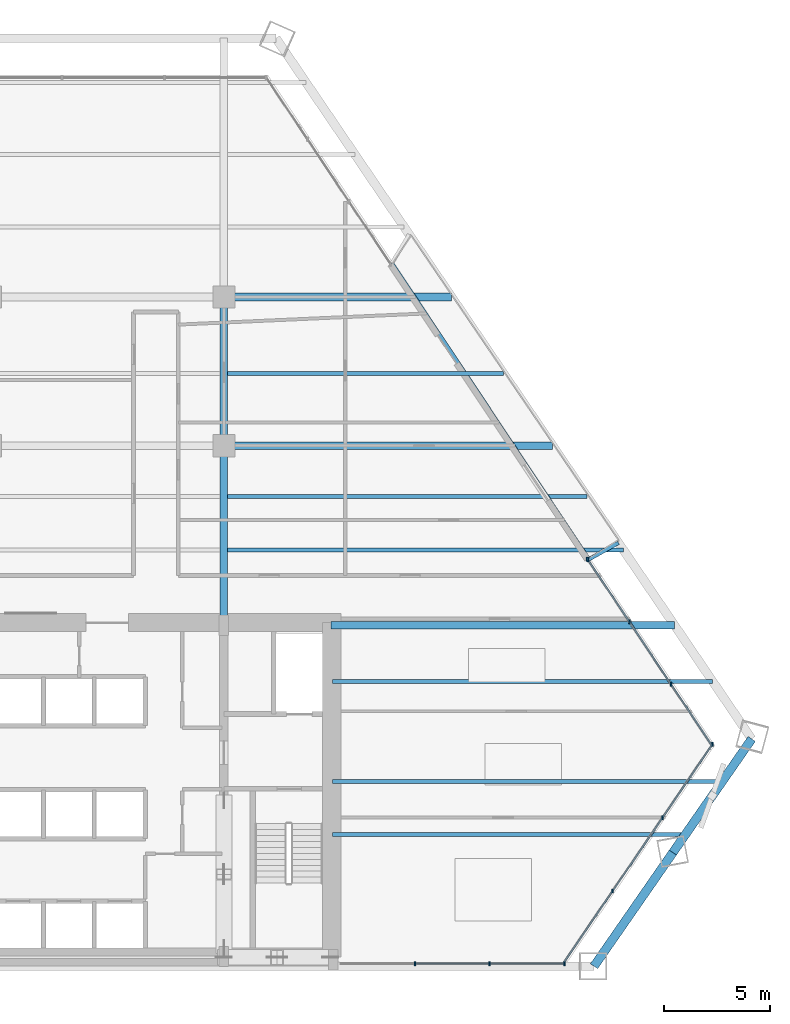
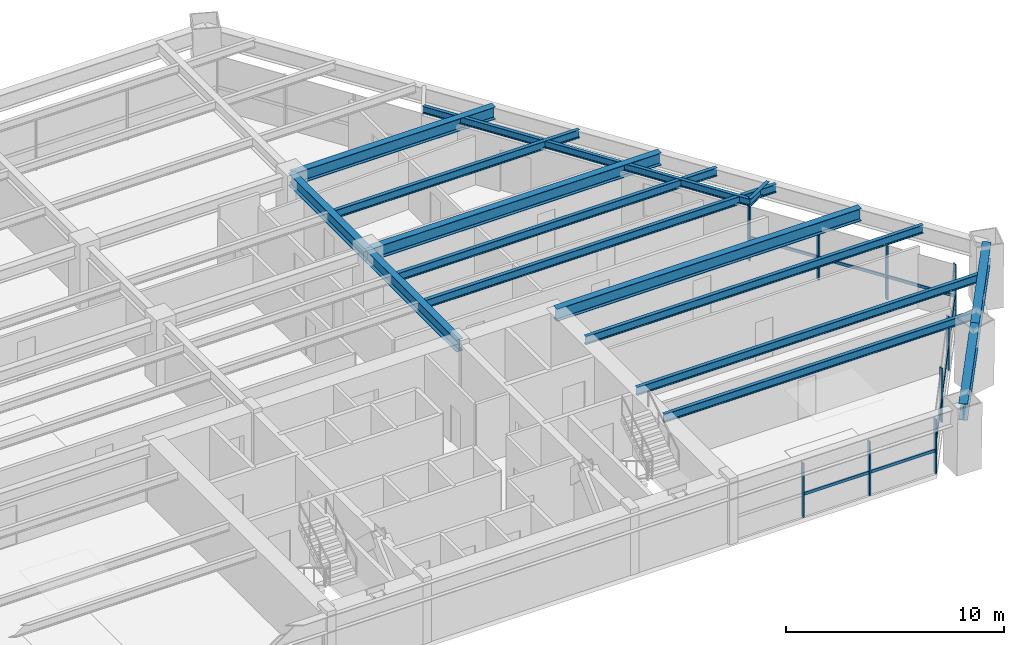
# One storey, part 6 of 14: 18 members, 15 beams, 3 elements without a shape of their own.
"""IFC4 building model written with IfcOpenShell, lengths in metres."""

from ifc_helpers import new_model, si_unit, direction, frame, origin, origin_2d, place, context, subcontext, project, spatial, rectangle, i_section, extrude, source, transform, mapped, material, material_profile, profile_set, type_object, type_shapes, element, aggregate, save


model = new_model("IFC4")

# Units and contexts
model_context = context("Model", 3, precision=1e-05, world=origin(), true_north=direction((0.0, 1.0)))
body_context = subcontext(model_context, "Body", "Model", "MODEL_VIEW")
ifc_project = project(units=[si_unit("LENGTHUNIT", "METRE"), si_unit("AREAUNIT", "SQUARE_METRE"), si_unit("VOLUMEUNIT", "CUBIC_METRE"), si_unit("PLANEANGLEUNIT", "RADIAN"), si_unit("MASSUNIT", "GRAM", prefix="KILO")], contexts=[model_context])

# Site, building, storey
site_placement = place(None, origin())
site = spatial("IfcSite", under=ifc_project, at=site_placement, CompositionType="ELEMENT")
building_placement = place(site_placement, origin())
building = spatial("IfcBuilding", under=site, at=building_placement, Name="Varnakhor Terracotta Tower", CompositionType="ELEMENT")
storey_placement = place(building_placement, frame((0.0, 0.0, 53.39990234375)))
storey = spatial("IfcBuildingStorey", under=building, at=storey_placement, Name="L12", CompositionType="ELEMENT", Elevation=53.39990234375)

# Beams
ifc_material_1 = material(Name="Steel S355", Category="steel")
ifc_material_profile_1 = material_profile(ifc_material_1, i_section(OverallWidth=0.35498046875, OverallDepth=0.695068359375, WebThickness=0.014892578125, FlangeThickness=0.02490234375, FilletRadius=0.01806640625, at=origin_2d()), Name="W27X146")
ifc_profile_set_1 = profile_set([ifc_material_profile_1], Name="Steel S355")
beam_type_1 = type_object("IfcBeamType", Name="BM-W27X146", PredefinedType="BEAM", material=ifc_profile_set_1)
shared_shape_1 = source(origin(), body_context, "Body", "SweptSolid", [
    extrude(i_section(OverallWidth=0.35498046875, OverallDepth=0.695068359375, WebThickness=0.014892578125, FlangeThickness=0.02490234375, FilletRadius=0.01806640625, at=origin_2d()), origin(), (0.0, 0.0, 1.0), 8.449951171875),
])
type_shapes(beam_type_1, [shared_shape_1])
beam_1_placement = place(storey_placement, frame((5.5, 16.050048828125, 3.1025390625), z_axis=(0.0, 1.0, 0.0), x_axis=(-1.0, 0.0, 0.0)))
element("IfcBeam", 1, at=beam_1_placement, inside=storey, type_object=beam_type_1, Name="L12 Primary Girder NS1-E", PredefinedType="BEAM", context=body_context, shape_type="MappedRepresentation", body=[
    mapped(shared_shape_1, transform((0.0, 0.0, 0.0), scale=1.0)),
])
shared_shape_2 = source(origin(), body_context, "Body", "SweptSolid", [
    extrude(i_section(OverallWidth=0.35498046875, OverallDepth=0.695068359375, WebThickness=0.014892578125, FlangeThickness=0.02490234375, FilletRadius=0.01806640625, at=origin_2d()), origin(), (0.0, 0.0, 1.0), 7.0),
])
beam_2_placement = place(storey_placement, frame((5.5, 24.5, 3.1025390625), z_axis=(0.0, 1.0, 0.0), x_axis=(-1.0, 0.0, 0.0)))
element("IfcBeam", 2, at=beam_2_placement, inside=storey, type_object=beam_type_1, Name="L12 Primary Girder NS2-E", PredefinedType="BEAM", context=body_context, shape_type="MappedRepresentation", body=[
    mapped(shared_shape_2, transform((0.0, 0.0, 0.0), scale=1.0)),
])
ifc_material_profile_2 = material_profile(ifc_material_1, i_section(OverallWidth=0.41796875, OverallDepth=0.927001953125, WebThickness=0.01904296875, FlangeThickness=0.031982421875, FilletRadius=0.01806640625, at=origin_2d()), Name="W36X231")
ifc_profile_set_2 = profile_set([ifc_material_profile_2], Name="Steel S355")
beam_type_2 = type_object("IfcBeamType", Name="BM-W36X231", PredefinedType="BEAM", material=ifc_profile_set_2)
shared_shape_3 = source(origin(), body_context, "Body", "SweptSolid", [
    extrude(i_section(OverallWidth=0.41796875, OverallDepth=0.927001953125, WebThickness=0.01904296875, FlangeThickness=0.031982421875, FilletRadius=0.01806640625, at=origin_2d()), origin(), (0.0, 0.0, 1.0), 6.50927734375),
])
beam_3_placement = place(storey_placement, frame((22.92138671875, 0.0, 2.986572265625), z_axis=(0.570097048354, 0.82157735817, 0.0), x_axis=(-0.82157735817, 0.570097048354, 0.0)))
element("IfcBeam", 3, at=beam_3_placement, inside=storey, type_object=beam_type_2, Name="L12 Perimeter Spandrel 2", PredefinedType="BEAM", context=body_context, shape_type="MappedRepresentation", body=[
    mapped(shared_shape_3, transform((0.0, 0.0, 0.0), scale=1.0)),
])
shared_shape_4 = source(origin(), body_context, "Body", "SweptSolid", [
    extrude(i_section(OverallWidth=0.41796875, OverallDepth=0.927001953125, WebThickness=0.01904296875, FlangeThickness=0.031982421875, FilletRadius=0.01806640625, at=origin_2d()), origin(), (0.0, 0.0, 1.0), 6.509765625),
])
beam_4_placement = place(storey_placement, frame((26.63232421875, 5.347900390625, 2.986572265625), z_axis=(0.570104797138, 0.821571981192, 0.0), x_axis=(-0.821571981192, 0.570104797138, 0.0)))
element("IfcBeam", 4, at=beam_4_placement, inside=storey, type_object=beam_type_2, Name="L12 Perimeter Spandrel 3", PredefinedType="BEAM", context=body_context, shape_type="MappedRepresentation", body=[
    mapped(shared_shape_4, transform((0.0, 0.0, 0.0), scale=1.0)),
])
ifc_material_profile_3 = material_profile(ifc_material_1, i_section(OverallWidth=0.179931640625, OverallDepth=0.39990234375, WebThickness=0.008544921875, FlangeThickness=0.013427734375, FilletRadius=0.01806640625, at=origin_2d()), Name="IPE400")
ifc_profile_set_3 = profile_set([ifc_material_profile_3], Name="Steel S355")
beam_type_3 = type_object("IfcBeamType", Name="JST-IPE400", PredefinedType="JOIST", material=ifc_profile_set_3)
shared_shape_5 = source(origin(), body_context, "Body", "SweptSolid", [
    extrude(i_section(OverallWidth=0.179931640625, OverallDepth=0.39990234375, WebThickness=0.008544921875, FlangeThickness=0.013427734375, FilletRadius=0.01806640625, at=origin_2d()), origin(), (0.0, 0.0, 1.0), 16.744384765625),
])
beam_5_placement = place(storey_placement, frame((22.673095703125, 19.1494140625, 3.25), z_axis=(-0.553666793668, 0.832738303183, 0.0), x_axis=(-0.832738303183, -0.553666793668, 0.0)))
element("IfcBeam", 5, at=beam_5_placement, inside=storey, type_object=beam_type_3, Name="L12 Loggia Edge Beam 1", PredefinedType="JOIST", context=body_context, shape_type="MappedRepresentation", body=[
    mapped(shared_shape_5, transform((0.0, 0.0, 0.0), scale=1.0)),
])
shared_shape_6 = source(origin(), body_context, "Body", "SweptSolid", [
    extrude(i_section(OverallWidth=0.35498046875, OverallDepth=0.695068359375, WebThickness=0.014892578125, FlangeThickness=0.02490234375, FilletRadius=0.01806640625, at=origin_2d()), origin(), (0.0, 0.0, 1.0), 16.158203125),
])
beam_6_placement = place(storey_placement, frame((10.550048828125, 16.050048828125, 3.1025390625), z_axis=(1.0, 0.0, 0.0), x_axis=(0.0, 1.0, 0.0)))
element("IfcBeam", 6, at=beam_6_placement, inside=storey, type_object=beam_type_1, Name="L12 Wing Girder E", PredefinedType="BEAM", context=body_context, shape_type="MappedRepresentation", body=[
    mapped(shared_shape_6, transform((0.0, 0.0, 0.0), scale=1.0)),
])
shared_shape_7 = source(origin(), body_context, "Body", "SweptSolid", [
    extrude(i_section(OverallWidth=0.35498046875, OverallDepth=0.695068359375, WebThickness=0.014892578125, FlangeThickness=0.02490234375, FilletRadius=0.01806640625, at=origin_2d()), origin(), (0.0, 0.0, 1.0), 15.47119140625),
])
beam_7_placement = place(storey_placement, frame((5.5, 24.5, 3.1025390625), z_axis=(1.0, 0.0, 0.0), x_axis=(0.0, 1.0, 0.0)))
element("IfcBeam", 7, at=beam_7_placement, inside=storey, type_object=beam_type_1, Name="L12 Primary Girder EW2-3", PredefinedType="BEAM", context=body_context, shape_type="MappedRepresentation", body=[
    mapped(shared_shape_7, transform((0.0, 0.0, 0.0), scale=1.0)),
])
shared_shape_8 = source(origin(), body_context, "Body", "SweptSolid", [
    extrude(i_section(OverallWidth=0.35498046875, OverallDepth=0.695068359375, WebThickness=0.014892578125, FlangeThickness=0.02490234375, FilletRadius=0.01806640625, at=origin_2d()), origin(), (0.0, 0.0, 1.0), 10.718505859375),
])
beam_8_placement = place(storey_placement, frame((5.5, 31.5, 3.1025390625), z_axis=(1.0, 0.0, 0.0), x_axis=(0.0, 1.0, 0.0)))
element("IfcBeam", 8, at=beam_8_placement, inside=storey, type_object=beam_type_1, Name="L12 Primary Girder EW3-3", PredefinedType="BEAM", context=body_context, shape_type="MappedRepresentation", body=[
    mapped(shared_shape_8, transform((0.0, 0.0, 0.0), scale=1.0)),
])
ifc_material_profile_4 = material_profile(ifc_material_1, i_section(OverallWidth=0.19189453125, OverallDepth=0.462890625, WebThickness=0.010498046875, FlangeThickness=0.017578125, FilletRadius=0.01806640625, at=origin_2d()), Name="W18X60")
ifc_profile_set_4 = profile_set([ifc_material_profile_4], Name="Steel S355")
beam_type_4 = type_object("IfcBeamType", Name="JST-W18X60", PredefinedType="JOIST", material=ifc_profile_set_4)
shared_shape_9 = source(origin(), body_context, "Body", "SweptSolid", [
    extrude(i_section(OverallWidth=0.19189453125, OverallDepth=0.462890625, WebThickness=0.010498046875, FlangeThickness=0.017578125, FilletRadius=0.01806640625, at=origin_2d()), origin(), (0.0, 0.0, 1.0), 16.62353515625),
])
beam_9_placement = place(storey_placement, frame((10.60009765625, 6.199951171875, 3.218505859375), z_axis=(1.0, 0.0, 0.0), x_axis=(0.0, 1.0, 0.0)))
element("IfcBeam", 9, at=beam_9_placement, inside=storey, type_object=beam_type_4, Name="L12 Floor Joist E1", PredefinedType="JOIST", context=body_context, shape_type="MappedRepresentation", body=[
    mapped(shared_shape_9, transform((0.0, 0.0, 0.0), scale=1.0)),
])
shared_shape_10 = source(origin(), body_context, "Body", "SweptSolid", [
    extrude(i_section(OverallWidth=0.19189453125, OverallDepth=0.462890625, WebThickness=0.010498046875, FlangeThickness=0.017578125, FilletRadius=0.01806640625, at=origin_2d()), origin(), (0.0, 0.0, 1.0), 18.3583984375),
])
beam_10_placement = place(storey_placement, frame((10.60009765625, 8.699951171875, 3.218505859375), z_axis=(1.0, 0.0, 0.0), x_axis=(0.0, 1.0, 0.0)))
element("IfcBeam", 10, at=beam_10_placement, inside=storey, type_object=beam_type_4, Name="L12 Floor Joist E2", PredefinedType="JOIST", context=body_context, shape_type="MappedRepresentation", body=[
    mapped(shared_shape_10, transform((0.0, 0.0, 0.0), scale=1.0)),
])
shared_shape_11 = source(origin(), body_context, "Body", "SweptSolid", [
    extrude(i_section(OverallWidth=0.19189453125, OverallDepth=0.462890625, WebThickness=0.010498046875, FlangeThickness=0.017578125, FilletRadius=0.01806640625, at=origin_2d()), origin(), (0.0, 0.0, 1.0), 17.907470703125),
])
beam_11_placement = place(storey_placement, frame((10.60009765625, 13.39990234375, 3.218505859375), z_axis=(1.0, 0.0, 0.0), x_axis=(0.0, 1.0, 0.0)))
element("IfcBeam", 11, at=beam_11_placement, inside=storey, type_object=beam_type_4, Name="L12 Floor Joist E3", PredefinedType="JOIST", context=body_context, shape_type="MappedRepresentation", body=[
    mapped(shared_shape_11, transform((0.0, 0.0, 0.0), scale=1.0)),
])
shared_shape_12 = source(origin(), body_context, "Body", "SweptSolid", [
    extrude(i_section(OverallWidth=0.19189453125, OverallDepth=0.462890625, WebThickness=0.010498046875, FlangeThickness=0.017578125, FilletRadius=0.01806640625, at=origin_2d()), origin(), (0.0, 0.0, 1.0), 18.62451171875),
])
beam_12_placement = place(storey_placement, frame((5.673583984375, 19.60009765625, 3.218505859375), z_axis=(1.0, 0.0, 0.0), x_axis=(0.0, 1.0, 0.0)))
element("IfcBeam", 12, at=beam_12_placement, inside=storey, type_object=beam_type_4, Name="L12 Composite Floor Joist 4-3", PredefinedType="JOIST", context=body_context, shape_type="MappedRepresentation", body=[
    mapped(shared_shape_12, transform((0.0, 0.0, 0.0), scale=1.0)),
])
shared_shape_13 = source(origin(), body_context, "Body", "SweptSolid", [
    extrude(i_section(OverallWidth=0.19189453125, OverallDepth=0.462890625, WebThickness=0.010498046875, FlangeThickness=0.017578125, FilletRadius=0.01806640625, at=origin_2d()), origin(), (0.0, 0.0, 1.0), 16.927001953125),
])
beam_13_placement = place(storey_placement, frame((5.673583984375, 22.10009765625, 3.218505859375), z_axis=(1.0, 0.0, 0.0), x_axis=(0.0, 1.0, 0.0)))
element("IfcBeam", 13, at=beam_13_placement, inside=storey, type_object=beam_type_4, Name="L12 Composite Floor Joist 5-3", PredefinedType="JOIST", context=body_context, shape_type="MappedRepresentation", body=[
    mapped(shared_shape_13, transform((0.0, 0.0, 0.0), scale=1.0)),
])
shared_shape_14 = source(origin(), body_context, "Body", "SweptSolid", [
    extrude(i_section(OverallWidth=0.19189453125, OverallDepth=0.462890625, WebThickness=0.010498046875, FlangeThickness=0.017578125, FilletRadius=0.01806640625, at=origin_2d()), origin(), (0.0, 0.0, 1.0), 12.989013671875),
])
beam_14_placement = place(storey_placement, frame((5.673583984375, 27.89990234375, 3.218505859375), z_axis=(1.0, 0.0, 0.0), x_axis=(0.0, 1.0, 0.0)))
element("IfcBeam", 14, at=beam_14_placement, inside=storey, type_object=beam_type_4, Name="L12 Composite Floor Joist 6-3", PredefinedType="JOIST", context=body_context, shape_type="MappedRepresentation", body=[
    mapped(shared_shape_14, transform((0.0, 0.0, 0.0), scale=1.0)),
])

# Curtain wall, members
ifc_material_2 = material(Name="Anodised Aluminium Curtain Wall System", Category="aluminium")
curtain_wall_type = type_object("IfcCurtainWallType", Name="CW-SYS-LOW-OFFICE", PredefinedType="NOTDEFINED", material=ifc_material_2)
curtain_wall_1_placement = place(storey_placement, origin())
curtain_wall_1 = element("IfcCurtainWall", 15, at=curtain_wall_1_placement, inside=storey, type_object=curtain_wall_type, Name="L12 E Facet Curtain Wall 2", PredefinedType="NOTDEFINED")
ifc_material_3 = material(Name="Anodised Aluminium 6063-T6", Category="aluminium")
ifc_material_profile_5 = material_profile(ifc_material_3, rectangle(XDim=0.074951171875, YDim=0.18505859375, at=origin_2d()), Name="ALU MULLION 75x185")
ifc_profile_set_5 = profile_set([ifc_material_profile_5], Name="Anodised Aluminium 6063-T6")
member_type_1 = type_object("IfcMemberType", Name="CWM-02", PredefinedType="MULLION", material=ifc_profile_set_5)
shared_shape_15 = source(origin(), body_context, "Body", "SweptSolid", [
    extrude(rectangle(XDim=0.074951171875, YDim=0.18505859375, at=origin_2d()), origin(), (0.0, 0.0, 1.0), 3.030029296875),
])
type_shapes(member_type_1, [shared_shape_15])
member_1_placement = place(storey_placement, frame((22.635498046875, 19.13525390625, 0.0), z_axis=(0.0, 0.0, 1.0), x_axis=(1.0, 0.0, 0.0)))
member_1 = element("IfcMember", 16, at=member_1_placement, type_object=member_type_1, Name="L12 E Facet Curtain Wall 2 Mullion 1", PredefinedType="MULLION", context=body_context, shape_type="MappedRepresentation", body=[
    mapped(shared_shape_15, transform((0.0, 0.0, 0.0), scale=1.0)),
])
member_2_placement = place(storey_placement, frame((24.587890625, 16.207763671875, 0.0), z_axis=(0.0, 0.0, 1.0), x_axis=(1.0, 0.0, 0.0)))
member_2 = element("IfcMember", 17, at=member_2_placement, type_object=member_type_1, Name="L12 E Facet Curtain Wall 2 Mullion 2", PredefinedType="MULLION", context=body_context, shape_type="MappedRepresentation", body=[
    mapped(shared_shape_15, transform((0.0, 0.0, 0.0), scale=1.0)),
])
member_3_placement = place(storey_placement, frame((26.540283203125, 13.280517578125, 0.0), z_axis=(0.0, 0.0, 1.0), x_axis=(1.0, 0.0, 0.0)))
member_3 = element("IfcMember", 18, at=member_3_placement, type_object=member_type_1, Name="L12 E Facet Curtain Wall 2 Mullion 3", PredefinedType="MULLION", context=body_context, shape_type="MappedRepresentation", body=[
    mapped(shared_shape_15, transform((0.0, 0.0, 0.0), scale=1.0)),
])
member_4_placement = place(storey_placement, frame((22.602294921875, 19.149169921875, 0.0), z_axis=(0.0, 0.0, 1.0), x_axis=(1.0, 0.0, 0.0)))
member_4 = element("IfcMember", 19, at=member_4_placement, type_object=member_type_1, Name="L12 E Loggia Jamb Closure Mullion 2", PredefinedType="MULLION", context=body_context, shape_type="MappedRepresentation", body=[
    mapped(shared_shape_15, transform((0.0, 0.0, 0.0), scale=1.0)),
])

curtain_wall_2_placement = place(storey_placement, origin())
curtain_wall_2 = element("IfcCurtainWall", 20, at=curtain_wall_2_placement, inside=storey, type_object=curtain_wall_type, Name="L12 Facet Curtain Wall 4", PredefinedType="NOTDEFINED")
member_5_placement = place(storey_placement, frame((28.493408203125, 10.437255859375, 0.0), z_axis=(0.0, 0.0, 1.0), x_axis=(1.0, 0.0, 0.0)))
member_5 = element("IfcMember", 21, at=member_5_placement, type_object=member_type_1, Name="L12 Facet Curtain Wall 4 Mullion 1", PredefinedType="MULLION", context=body_context, shape_type="MappedRepresentation", body=[
    mapped(shared_shape_15, transform((0.0, 0.0, 0.0), scale=1.0)),
])
member_6_placement = place(storey_placement, frame((26.145751953125, 6.989013671875, 0.0), z_axis=(0.0, 0.0, 1.0), x_axis=(1.0, 0.0, 0.0)))
member_6 = element("IfcMember", 22, at=member_6_placement, type_object=member_type_1, Name="L12 Facet Curtain Wall 4 Mullion 2", PredefinedType="MULLION", context=body_context, shape_type="MappedRepresentation", body=[
    mapped(shared_shape_15, transform((0.0, 0.0, 0.0), scale=1.0)),
])
member_7_placement = place(storey_placement, frame((23.798095703125, 3.540771484375, 0.0), z_axis=(0.0, 0.0, 1.0), x_axis=(1.0, 0.0, 0.0)))
member_7 = element("IfcMember", 23, at=member_7_placement, type_object=member_type_1, Name="L12 Facet Curtain Wall 4 Mullion 3", PredefinedType="MULLION", context=body_context, shape_type="MappedRepresentation", body=[
    mapped(shared_shape_15, transform((0.0, 0.0, 0.0), scale=1.0)),
])

curtain_wall_3_placement = place(storey_placement, origin())
curtain_wall_3 = element("IfcCurtainWall", 24, at=curtain_wall_3_placement, inside=storey, type_object=curtain_wall_type, Name="L12 South Wing Curtain Wall SSE", PredefinedType="NOTDEFINED")
member_8_placement = place(storey_placement, frame((21.522705078125, 0.1201171875, 0.0), z_axis=(0.0, 0.0, 1.0), x_axis=(1.0, 0.0, 0.0)))
member_8 = element("IfcMember", 25, at=member_8_placement, type_object=member_type_1, Name="L12 South Wing Curtain Wall SSE Mullion 1", PredefinedType="MULLION", context=body_context, shape_type="MappedRepresentation", body=[
    mapped(shared_shape_15, transform((0.0, 0.0, 0.0), scale=1.0)),
])
member_9_placement = place(storey_placement, frame((18.005126953125, 0.1201171875, 0.0), z_axis=(0.0, 0.0, 1.0), x_axis=(1.0, 0.0, 0.0)))
member_9 = element("IfcMember", 26, at=member_9_placement, type_object=member_type_1, Name="L12 South Wing Curtain Wall SSE Mullion 2", PredefinedType="MULLION", context=body_context, shape_type="MappedRepresentation", body=[
    mapped(shared_shape_15, transform((0.0, 0.0, 0.0), scale=1.0)),
])
member_10_placement = place(storey_placement, frame((14.487548828125, 0.1201171875, 0.0), z_axis=(0.0, 0.0, 1.0), x_axis=(1.0, 0.0, 0.0)))
member_10 = element("IfcMember", 27, at=member_10_placement, type_object=member_type_1, Name="L12 South Wing Curtain Wall SSE Mullion 3", PredefinedType="MULLION", context=body_context, shape_type="MappedRepresentation", body=[
    mapped(shared_shape_15, transform((0.0, 0.0, 0.0), scale=1.0)),
])

# Member
ifc_material_profile_6 = material_profile(ifc_material_3, rectangle(XDim=0.074951171875, YDim=0.1650390625, at=origin_2d()), Name="ALU TRANSOM 75x165")
ifc_profile_set_6 = profile_set([ifc_material_profile_6], Name="Anodised Aluminium 6063-T6")
member_type_2 = type_object("IfcMemberType", Name="CWT-02", PredefinedType="USERDEFINED", material=ifc_profile_set_6)
shared_shape_16 = source(origin(), body_context, "Body", "SweptSolid", [
    extrude(rectangle(XDim=0.074951171875, YDim=0.1650390625, at=origin_2d()), origin(), (0.0, 0.0, 1.0), 3.51904296875),
])
member_11_placement = place(storey_placement, frame((26.540283203125, 13.280517578125, 1.272705078125), z_axis=(0.554892307575, -0.831922188064, 0.0), x_axis=(0.831922188064, 0.554892307575, 0.0)))
member_11 = element("IfcMember", 28, at=member_11_placement, type_object=member_type_2, Name="L12 E Facet Curtain Wall 2 Transom 3", ObjectType="TRANSOM", PredefinedType="USERDEFINED", context=body_context, shape_type="MappedRepresentation", body=[
    mapped(shared_shape_16, transform((0.0, 0.0, 0.0), scale=1.0)),
])

shared_shape_17 = source(origin(), body_context, "Body", "SweptSolid", [
    extrude(rectangle(XDim=0.074951171875, YDim=0.1650390625, at=origin_2d()), origin(), (0.0, 0.0, 1.0), 3.518798828125),
])
member_12_placement = place(storey_placement, frame((22.635498046875, 19.13525390625, 1.272705078125), z_axis=(0.554844288057, -0.831954215093, 0.0), x_axis=(0.831954215093, 0.554844288057, 0.0)))
member_12 = element("IfcMember", 29, at=member_12_placement, type_object=member_type_2, Name="L12 E Facet Curtain Wall 2 Transom 1", ObjectType="TRANSOM", PredefinedType="USERDEFINED", context=body_context, shape_type="MappedRepresentation", body=[
    mapped(shared_shape_17, transform((0.0, 0.0, 0.0), scale=1.0)),
])

shared_shape_18 = source(origin(), body_context, "Body", "SweptSolid", [
    extrude(rectangle(XDim=0.074951171875, YDim=0.1650390625, at=origin_2d()), origin(), (0.0, 0.0, 1.0), 3.5185546875),
])
member_13_placement = place(storey_placement, frame((24.587890625, 16.207763671875, 1.272705078125), z_axis=(0.55487631637, -0.83193285398, 0.0), x_axis=(0.83193285398, 0.55487631637, 0.0)))
member_13 = element("IfcMember", 30, at=member_13_placement, type_object=member_type_2, Name="L12 E Facet Curtain Wall 2 Transom 2", ObjectType="TRANSOM", PredefinedType="USERDEFINED", context=body_context, shape_type="MappedRepresentation", body=[
    mapped(shared_shape_18, transform((0.0, 0.0, 0.0), scale=1.0)),
])

aggregate(curtain_wall_1, [member_1, member_12, member_2, member_13, member_3, member_11, member_4])

shared_shape_19 = source(origin(), body_context, "Body", "SweptSolid", [
    extrude(rectangle(XDim=0.074951171875, YDim=0.1650390625, at=origin_2d()), origin(), (0.0, 0.0, 1.0), 4.171630859375),
])
member_14_placement = place(storey_placement, frame((28.493408203125, 10.437255859375, 1.272705078125), z_axis=(-0.562777363991, -0.826608515912, 0.0), x_axis=(0.826608515912, -0.562777363991, 0.0)))
member_14 = element("IfcMember", 31, at=member_14_placement, type_object=member_type_2, Name="L12 Facet Curtain Wall 4 Transom 1", ObjectType="TRANSOM", PredefinedType="USERDEFINED", context=body_context, shape_type="MappedRepresentation", body=[
    mapped(shared_shape_19, transform((0.0, 0.0, 0.0), scale=1.0)),
])

member_15_placement = place(storey_placement, frame((26.145751953125, 6.989013671875, 1.272705078125), z_axis=(-0.562777363991, -0.826608515912, 0.0), x_axis=(0.826608515912, -0.562777363991, 0.0)))
member_15 = element("IfcMember", 32, at=member_15_placement, type_object=member_type_2, Name="L12 Facet Curtain Wall 4 Transom 2", ObjectType="TRANSOM", PredefinedType="USERDEFINED", context=body_context, shape_type="MappedRepresentation", body=[
    mapped(shared_shape_19, transform((0.0, 0.0, 0.0), scale=1.0)),
])

shared_shape_20 = source(origin(), body_context, "Body", "SweptSolid", [
    extrude(rectangle(XDim=0.074951171875, YDim=0.1650390625, at=origin_2d()), origin(), (0.0, 0.0, 1.0), 4.171875),
])
member_16_placement = place(storey_placement, frame((23.798095703125, 3.540771484375, 1.272705078125), z_axis=(-0.562750139328, -0.826627050541, 0.0), x_axis=(0.826627050541, -0.562750139328, 0.0)))
member_16 = element("IfcMember", 33, at=member_16_placement, type_object=member_type_2, Name="L12 Facet Curtain Wall 4 Transom 3", ObjectType="TRANSOM", PredefinedType="USERDEFINED", context=body_context, shape_type="MappedRepresentation", body=[
    mapped(shared_shape_20, transform((0.0, 0.0, 0.0), scale=1.0)),
])

aggregate(curtain_wall_2, [member_5, member_14, member_6, member_15, member_7, member_16])

shared_shape_21 = source(origin(), body_context, "Body", "SweptSolid", [
    extrude(rectangle(XDim=0.074951171875, YDim=0.1650390625, at=origin_2d()), origin(), (0.0, 0.0, 1.0), 3.517578125),
])
member_17_placement = place(storey_placement, frame((21.522705078125, 0.1201171875, 1.272705078125), z_axis=(-1.0, 0.0, 0.0), x_axis=(0.0, -1.0, 0.0)))
member_17 = element("IfcMember", 34, at=member_17_placement, type_object=member_type_2, Name="L12 South Wing Curtain Wall SSE Transom 1", ObjectType="TRANSOM", PredefinedType="USERDEFINED", context=body_context, shape_type="MappedRepresentation", body=[
    mapped(shared_shape_21, transform((0.0, 0.0, 0.0), scale=1.0)),
])

member_18_placement = place(storey_placement, frame((18.005126953125, 0.1201171875, 1.272705078125), z_axis=(-1.0, 0.0, 0.0), x_axis=(0.0, -1.0, 0.0)))
member_18 = element("IfcMember", 35, at=member_18_placement, type_object=member_type_2, Name="L12 South Wing Curtain Wall SSE Transom 2", ObjectType="TRANSOM", PredefinedType="USERDEFINED", context=body_context, shape_type="MappedRepresentation", body=[
    mapped(shared_shape_21, transform((0.0, 0.0, 0.0), scale=1.0)),
])

aggregate(curtain_wall_3, [member_8, member_17, member_9, member_18, member_10])

# Beam
shared_shape_22 = source(origin(), body_context, "Body", "SweptSolid", [
    extrude(i_section(OverallWidth=0.179931640625, OverallDepth=0.39990234375, WebThickness=0.008544921875, FlangeThickness=0.013427734375, FilletRadius=0.01806640625, at=origin_2d()), origin(), (0.0, 0.0, 1.0), 1.603515625),
])
beam_15_placement = place(storey_placement, frame((22.673095703125, 19.1494140625, 3.25), z_axis=(0.872962549506, 0.487787235545, 0.0), x_axis=(-0.487787235545, 0.872962549506, 0.0)))
element("IfcBeam", 36, at=beam_15_placement, inside=storey, type_object=beam_type_3, Name="L13 E Loggia Tie Beam 2", PredefinedType="JOIST", context=body_context, shape_type="MappedRepresentation", body=[
    mapped(shared_shape_22, transform((0.0, 0.0, 0.0), scale=1.0)),
])

save(model, "model.ifc")
